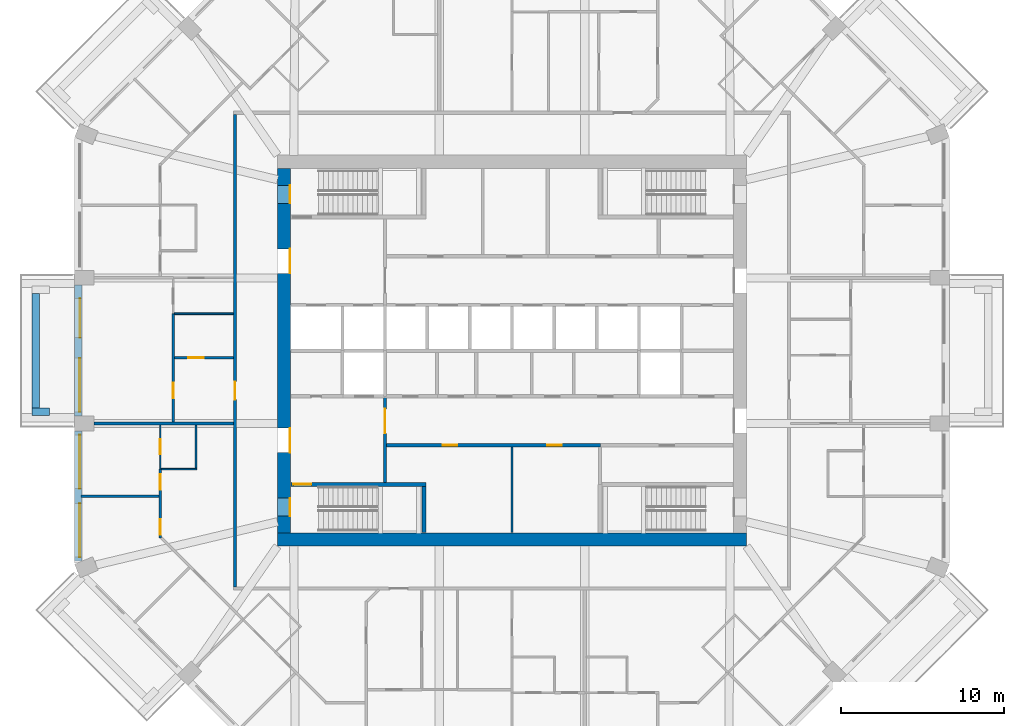
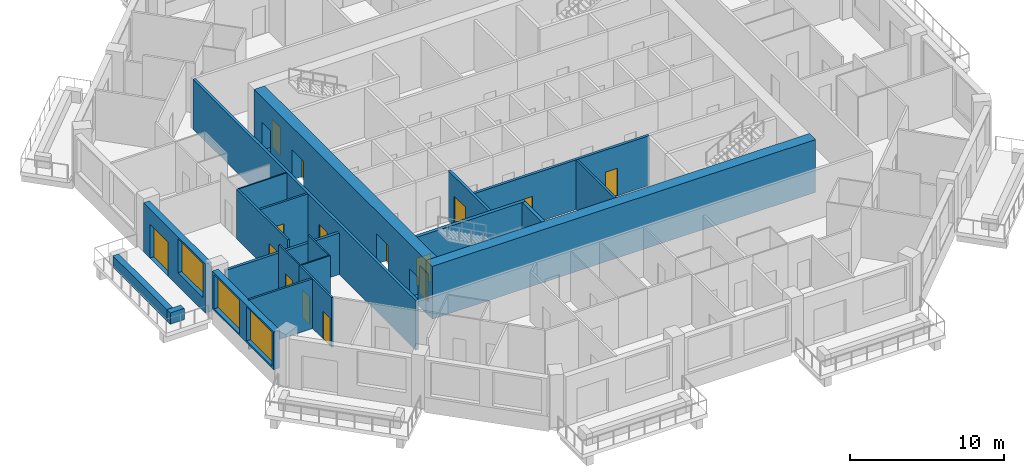
# One storey, part 4 of 13: 21 walls, 15 doors, 3 windows, 18 openings.
"""IFC4 building model written with IfcOpenShell, lengths in metres."""

from ifc_helpers import new_model, si_unit, direction, frame, frame_2d, origin, place, context, subcontext, project, spatial, rectangle, extrude, material, layer, layer_set, type_object, element, fill, save


model = new_model("IFC4")

# Units and contexts
model_context = context("Model", 3, precision=1e-05, world=origin(), true_north=direction((0.0, 1.0)))
body_context = subcontext(model_context, "Body", "Model", "MODEL_VIEW")
ifc_project = project(units=[si_unit("LENGTHUNIT", "METRE"), si_unit("AREAUNIT", "SQUARE_METRE"), si_unit("VOLUMEUNIT", "CUBIC_METRE"), si_unit("PLANEANGLEUNIT", "RADIAN"), si_unit("MASSUNIT", "GRAM", prefix="KILO")], contexts=[model_context])

# Site, building, storey
site_placement = place(None, origin())
site = spatial("IfcSite", under=ifc_project, at=site_placement, CompositionType="ELEMENT")
building_placement = place(site_placement, origin())
building = spatial("IfcBuilding", under=site, at=building_placement, Name="Msitu Wima Residences", CompositionType="ELEMENT")
storey_placement = place(building_placement, frame((0.0, 0.0, 110.699951171875)))
storey = spatial("IfcBuildingStorey", under=building, at=storey_placement, Name="L25", CompositionType="ELEMENT", Elevation=110.699951171875)

# Walls
ifc_material_1 = material(Name="Facing brick")
ifc_layer_1 = layer(ifc_material_1, 0.06494140625, Name="Facing brick")
ifc_material_2 = material(Name="Concrete C40/50", Category="concrete")
ifc_layer_2 = layer(ifc_material_2, 0.156005859375, Name="Concrete C40/50")
ifc_material_3 = material(Name="Waterproofing membrane")
ifc_layer_3 = layer(ifc_material_3, 0.00390625, Name="Waterproofing membrane")
ifc_material_4 = material(Name="Planting soil and planting")
ifc_layer_4 = layer(ifc_material_4, 0.22509765625, Name="Planting soil and planting")
ifc_layer_set_1 = layer_set([ifc_layer_1, ifc_layer_2, ifc_layer_3, ifc_layer_4], Name="Concrete C40/50")
wall_type_1 = type_object("IfcWallType", Name="Balcony planter PLANTER PL450", PredefinedType="USERDEFINED", material=ifc_layer_set_1)
wall_1_placement = place(storey_placement, frame((-29.22509765625, 3.5185546875, 0.0), z_axis=(0.0, 0.0, 1.0), x_axis=(0.0, -1.0, 0.0)))
element("IfcWall", 1, at=wall_1_placement, inside=storey, type_object=wall_type_1, Name="Balcony planter W1 L25", ObjectType="PLANTER", PredefinedType="USERDEFINED", context=body_context, shape_type="SweptSolid", body=[
    extrude(rectangle(XDim=7.037109375, YDim=0.449951171875, at=frame_2d((3.5185546875, 0.0))), origin(), (0.0, 0.0, 1.0), 0.900146484375),
])
wall_2_placement = place(storey_placement, frame((-28.39990234375, -3.74365234375, 0.0), z_axis=(0.0, 0.0, 1.0), x_axis=(-1.0, 0.0, 0.0)))
element("IfcWall", 2, at=wall_2_placement, inside=storey, type_object=wall_type_1, Name="Balcony planter W1 L25", ObjectType="PLANTER", PredefinedType="USERDEFINED", context=body_context, shape_type="SweptSolid", body=[
    extrude(rectangle(XDim=1.050048828125, YDim=0.449951171875, at=frame_2d((0.52490234375, 0.0))), origin(), (0.0, 0.0, 1.0), 0.900146484375),
])

# Wall, openings, door, window
ifc_material_5 = material(Name="Brick (red buff mix)", Category="masonry")
ifc_layer_5 = layer(ifc_material_5, 0.449951171875)
ifc_layer_set_2 = layer_set([ifc_layer_5], Name="Brick (red buff mix)")
wall_type_2 = type_object("IfcWallType", Name="Brick infill wall BW450", PredefinedType="SOLIDWALL", material=ifc_layer_set_2)
wall_3_placement = place(storey_placement, frame((-26.625, 4.0185546875, 0.0), z_axis=(0.0, 0.0, 1.0), x_axis=(0.0, -1.0, 0.0)))
wall_3 = element("IfcWall", 3, at=wall_3_placement, inside=storey, type_object=wall_type_2, Name="Brick infill wall L25 W1", PredefinedType="SOLIDWALL", context=body_context, shape_type="SweptSolid", body=[
    extrude(rectangle(XDim=8.037109375, YDim=0.449951171875, at=frame_2d((4.0185546875, 0.0))), origin(), (0.0, 0.0, 1.0), 3.900146484375),
])
opening_1_placement = place(wall_3_placement, frame((0.809326171875, 0.0, 0.0)))
opening_1 = element("IfcOpeningElement", 4, at=opening_1_placement, cuts=wall_3, Name="Opening D25-26.010", PredefinedType="OPENING", context=body_context, shape_type="SweptSolid", body=[
    extrude(rectangle(XDim=2.39990234375, YDim=2.699951171875, at=frame_2d((1.199951171875, 1.35009765625))), frame((0.0, 0.23486328125, 0.0), z_axis=(0.0, -1.0, 0.0), x_axis=(1.0, 0.0, 0.0)), (0.0, 0.0, 1.0), 0.469970703125),
])
opening_2_placement = place(wall_3_placement, frame((4.46875, 0.0, 1.050048828125)))
opening_2 = element("IfcOpeningElement", 5, at=opening_2_placement, cuts=wall_3, Name="Opening W25-26.028", PredefinedType="OPENING", context=body_context, shape_type="SweptSolid", body=[
    extrude(rectangle(XDim=3.300048828125, YDim=2.699951171875, at=frame_2d((1.64990234375, 1.35009765625))), frame((0.0, 0.23486328125, 0.0), z_axis=(0.0, -1.0, 0.0), x_axis=(1.0, 0.0, 0.0)), (0.0, 0.0, 1.0), 0.469970703125),
])
ifc_material_6 = material(Name="Anodised aluminium, bronze finish, clear low-emissivity double glazing", Category="aluminium")
door_type_1 = type_object("IfcDoorType", Name="Balcony door D2400x2700", OperationType="SLIDING_TO_LEFT", PredefinedType="DOOR", material=ifc_material_6)
door_1_placement = place(opening_1_placement, origin())
door_1 = element("IfcDoor", 6, at=door_1_placement, inside=storey, type_object=door_type_1, Name="Balcony door L25 W1", OperationType="SINGLE_SWING_LEFT", OverallHeight=2.699951171875, OverallWidth=2.39990234375, PredefinedType="DOOR", context=body_context, shape_type="SweptSolid", body=[
    extrude(rectangle(XDim=2.39990234375, YDim=2.699951171875, at=frame_2d((1.199951171875, 1.35009765625))), frame((0.0, 0.1298828125, 0.0), z_axis=(0.0, -1.0, 0.0), x_axis=(1.0, 0.0, 0.0)), (0.0, 0.0, 1.0), 0.050048828125),
])
fill(opening_1, door_1)
window_type = type_object("IfcWindowType", Name="Window W3300x2700", PartitioningType="DOUBLE_PANEL_VERTICAL", PredefinedType="WINDOW", material=ifc_material_6)
window_1_placement = place(opening_2_placement, origin())
window_1 = element("IfcWindow", 7, at=window_1_placement, inside=storey, type_object=window_type, Name="Window L25 W1.2", OverallHeight=2.699951171875, OverallWidth=3.300048828125, PartitioningType="SINGLE_PANEL", PredefinedType="WINDOW", context=body_context, shape_type="SweptSolid", body=[
    extrude(rectangle(XDim=3.300048828125, YDim=2.699951171875, at=frame_2d((1.64990234375, 1.35009765625))), frame((0.0, 0.135009765625, 0.0), z_axis=(0.0, -1.0, 0.0), x_axis=(1.0, 0.0, 0.0)), (0.0, 0.0, 1.0), 0.06005859375),
])
fill(opening_2, window_1)

# Wall, openings, windows
wall_4_placement = place(storey_placement, frame((-26.625, -4.918701171875, 0.900146484375), z_axis=(0.0, 0.0, 1.0), x_axis=(0.0, -1.0, 0.0)))
wall_4 = element("IfcWall", 8, at=wall_4_placement, inside=storey, type_object=wall_type_2, Name="Brick infill wall L25 W2", PredefinedType="SOLIDWALL", context=body_context, shape_type="SweptSolid", body=[
    extrude(rectangle(XDim=8.0, YDim=0.449951171875, at=frame_2d((4.0, 0.0))), origin(), (0.0, 0.0, 1.0), 3.0),
])
opening_3_placement = place(wall_4_placement, frame((0.25, 0.0, 0.14990234375)))
opening_3 = element("IfcOpeningElement", 9, at=opening_3_placement, cuts=wall_4, Name="Opening W25-26.029", PredefinedType="OPENING", context=body_context, shape_type="SweptSolid", body=[
    extrude(rectangle(XDim=3.300048828125, YDim=2.699951171875, at=frame_2d((1.64990234375, 1.35009765625))), frame((0.0, 0.23486328125, 0.0), z_axis=(0.0, -1.0, 0.0), x_axis=(1.0, 0.0, 0.0)), (0.0, 0.0, 1.0), 0.469970703125),
])
opening_4_placement = place(wall_4_placement, frame((4.4501953125, 0.0, 0.14990234375)))
opening_4 = element("IfcOpeningElement", 10, at=opening_4_placement, cuts=wall_4, Name="Opening W25-26.030", PredefinedType="OPENING", context=body_context, shape_type="SweptSolid", body=[
    extrude(rectangle(XDim=3.300048828125, YDim=2.699951171875, at=frame_2d((1.64990234375, 1.35009765625))), frame((0.0, 0.23486328125, 0.0), z_axis=(0.0, -1.0, 0.0), x_axis=(1.0, 0.0, 0.0)), (0.0, 0.0, 1.0), 0.469970703125),
])
window_2_placement = place(opening_3_placement, origin())
window_2 = element("IfcWindow", 11, at=window_2_placement, inside=storey, type_object=window_type, Name="Window L25 W2.1", OverallHeight=2.699951171875, OverallWidth=3.300048828125, PartitioningType="SINGLE_PANEL", PredefinedType="WINDOW", context=body_context, shape_type="SweptSolid", body=[
    extrude(rectangle(XDim=3.300048828125, YDim=2.699951171875, at=frame_2d((1.64990234375, 1.35009765625))), frame((0.0, 0.135009765625, 0.0), z_axis=(0.0, -1.0, 0.0), x_axis=(1.0, 0.0, 0.0)), (0.0, 0.0, 1.0), 0.06005859375),
])
fill(opening_3, window_2)
window_3_placement = place(opening_4_placement, origin())
window_3 = element("IfcWindow", 12, at=window_3_placement, inside=storey, type_object=window_type, Name="Window L25 W2.2", OverallHeight=2.699951171875, OverallWidth=3.300048828125, PartitioningType="SINGLE_PANEL", PredefinedType="WINDOW", context=body_context, shape_type="SweptSolid", body=[
    extrude(rectangle(XDim=3.300048828125, YDim=2.699951171875, at=frame_2d((1.64990234375, 1.35009765625))), frame((0.0, 0.135009765625, 0.0), z_axis=(0.0, -1.0, 0.0), x_axis=(1.0, 0.0, 0.0)), (0.0, 0.0, 1.0), 0.06005859375),
])
fill(opening_4, window_3)

# Wall
ifc_material_7 = material(Name="Concrete C70/85", Category="concrete")
ifc_layer_6 = layer(ifc_material_7, 0.800048828125)
ifc_layer_set_3 = layer_set([ifc_layer_6], Name="Concrete C70/85")
wall_type_3 = type_object("IfcWallType", Name="Core wall CW800 C70/85", PredefinedType="SHEAR", material=ifc_layer_set_3)
wall_5_placement = place(storey_placement, frame((-14.39990234375, -11.60009765625, 0.0), z_axis=(0.0, 0.0, 1.0), x_axis=(1.0, 0.0, 0.0)))
element("IfcWall", 13, at=wall_5_placement, inside=storey, type_object=wall_type_3, Name="Core wall", PredefinedType="SHEAR", context=body_context, shape_type="SweptSolid", body=[
    extrude(rectangle(XDim=28.7998046875, YDim=0.800048828125, at=frame_2d((14.39990234375, 0.0))), origin(), (0.0, 0.0, 1.0), 4.199951171875),
])

# Wall, openings, doors
wall_6_placement = place(storey_placement, frame((-14.0, -11.199951171875, 0.0), z_axis=(0.0, 0.0, 1.0), x_axis=(0.0, 1.0, 0.0)))
wall_6 = element("IfcWall", 14, at=wall_6_placement, inside=storey, type_object=wall_type_3, Name="Core wall", PredefinedType="SHEAR", context=body_context, shape_type="SweptSolid", body=[
    extrude(rectangle(XDim=22.39990234375, YDim=0.800048828125, at=frame_2d((11.199951171875, 0.0))), origin(), (0.0, 0.0, 1.0), 4.199951171875),
])
opening_5_placement = place(wall_6_placement, frame((20.25, 0.0, 0.0)))
opening_5 = element("IfcOpeningElement", 15, at=opening_5_placement, cuts=wall_6, Name="Opening D25-26.036", PredefinedType="OPENING", context=body_context, shape_type="SweptSolid", body=[
    extrude(rectangle(XDim=1.10009765625, YDim=2.199951171875, at=frame_2d((0.550048828125, 1.10009765625))), frame((0.0, 0.409912109375, 0.0), z_axis=(0.0, -1.0, 0.0), x_axis=(1.0, 0.0, 0.0)), (0.0, 0.0, 1.0), 0.820068359375),
])
opening_6_placement = place(wall_6_placement, frame((1.050048828125, 0.0, 0.0)))
opening_6 = element("IfcOpeningElement", 16, at=opening_6_placement, cuts=wall_6, Name="Opening D25-26.038", PredefinedType="OPENING", context=body_context, shape_type="SweptSolid", body=[
    extrude(rectangle(XDim=1.10009765625, YDim=2.199951171875, at=frame_2d((0.550048828125, 1.10009765625))), frame((0.0, 0.409912109375, 0.0), z_axis=(0.0, -1.0, 0.0), x_axis=(1.0, 0.0, 0.0)), (0.0, 0.0, 1.0), 0.820068359375),
])
opening_7_placement = place(wall_6_placement, frame((15.949951171875, 0.0, 0.0)))
opening_7 = element("IfcOpeningElement", 17, at=opening_7_placement, cuts=wall_6, Name="Opening D25-26.016", PredefinedType="OPENING", context=body_context, shape_type="SweptSolid", body=[
    extrude(rectangle(XDim=1.5, YDim=2.39990234375, at=frame_2d((0.75, 1.199951171875))), frame((0.0, 0.409912109375, 0.0), z_axis=(0.0, -1.0, 0.0), x_axis=(1.0, 0.0, 0.0)), (0.0, 0.0, 1.0), 0.820068359375),
])
opening_8_placement = place(wall_6_placement, frame((4.949951171875, 0.0, 0.0)))
opening_8 = element("IfcOpeningElement", 18, at=opening_8_placement, cuts=wall_6, Name="Opening D25-26.018", PredefinedType="OPENING", context=body_context, shape_type="SweptSolid", body=[
    extrude(rectangle(XDim=1.5, YDim=2.39990234375, at=frame_2d((0.75, 1.199951171875))), frame((0.0, 0.409912109375, 0.0), z_axis=(0.0, -1.0, 0.0), x_axis=(1.0, 0.0, 0.0)), (0.0, 0.0, 1.0), 0.820068359375),
])
ifc_material_8 = material(Name="Steel framed glazed door, fire resisting", Category="steel")
door_type_2 = type_object("IfcDoorType", Name="Lobby door D07 1500x2400", OperationType="DOUBLE_DOOR_SINGLE_SWING", PredefinedType="DOOR", material=ifc_material_8)
door_2_placement = place(opening_7_placement, origin())
door_2 = element("IfcDoor", 19, at=door_2_placement, inside=storey, type_object=door_type_2, Name="Lobby door", OperationType="DOUBLE_DOOR_SINGLE_SWING", OverallHeight=2.39990234375, OverallWidth=1.5, PredefinedType="DOOR", context=body_context, shape_type="SweptSolid", body=[
    extrude(rectangle(XDim=1.5, YDim=2.39990234375, at=frame_2d((0.75, 1.199951171875))), frame((0.0, -0.34521484375, 0.0), z_axis=(0.0, -1.0, 0.0), x_axis=(1.0, 0.0, 0.0)), (0.0, 0.0, 1.0), 0.050048828125),
])
fill(opening_7, door_2)
door_3_placement = place(opening_8_placement, origin())
door_3 = element("IfcDoor", 20, at=door_3_placement, inside=storey, type_object=door_type_2, Name="Lobby door", OperationType="DOUBLE_DOOR_SINGLE_SWING", OverallHeight=2.39990234375, OverallWidth=1.5, PredefinedType="DOOR", context=body_context, shape_type="SweptSolid", body=[
    extrude(rectangle(XDim=1.5, YDim=2.39990234375, at=frame_2d((0.75, 1.199951171875))), frame((0.0, -0.34521484375, 0.0), z_axis=(0.0, -1.0, 0.0), x_axis=(1.0, 0.0, 0.0)), (0.0, 0.0, 1.0), 0.050048828125),
])
fill(opening_8, door_3)
ifc_material_9 = material(Name="Steel door, fire resisting, panic bar", Category="steel")
door_type_3 = type_object("IfcDoorType", Name="Stair door D06 1100x2200", OperationType="SINGLE_SWING_LEFT", PredefinedType="DOOR", material=ifc_material_9)
door_4_placement = place(opening_5_placement, origin())
door_4 = element("IfcDoor", 21, at=door_4_placement, inside=storey, type_object=door_type_3, Name="Stair door", OperationType="SINGLE_SWING_RIGHT", OverallHeight=2.199951171875, OverallWidth=1.10009765625, PredefinedType="DOOR", context=body_context, shape_type="SweptSolid", body=[
    extrude(rectangle(XDim=1.10009765625, YDim=2.199951171875, at=frame_2d((0.550048828125, 1.10009765625))), frame((0.0, -0.34521484375, 0.0), z_axis=(0.0, -1.0, 0.0), x_axis=(1.0, 0.0, 0.0)), (0.0, 0.0, 1.0), 0.050048828125),
])
fill(opening_5, door_4)
door_5_placement = place(opening_6_placement, origin())
door_5 = element("IfcDoor", 22, at=door_5_placement, inside=storey, type_object=door_type_3, Name="Stair door", OperationType="SINGLE_SWING_LEFT", OverallHeight=2.199951171875, OverallWidth=1.10009765625, PredefinedType="DOOR", context=body_context, shape_type="SweptSolid", body=[
    extrude(rectangle(XDim=1.10009765625, YDim=2.199951171875, at=frame_2d((0.550048828125, 1.10009765625))), frame((0.0, -0.34521484375, 0.0), z_axis=(0.0, -1.0, 0.0), x_axis=(1.0, 0.0, 0.0)), (0.0, 0.0, 1.0), 0.050048828125),
])
fill(opening_6, door_5)

# Wall, opening, door
ifc_material_10 = material(Name="Plaster")
ifc_layer_7 = layer(ifc_material_10, 0.011962890625, Name="Plaster")
ifc_material_11 = material(Name="Concrete blockwork", Category="masonry")
ifc_layer_8 = layer(ifc_material_11, 0.176025390625, Name="Concrete blockwork")
ifc_layer_9 = layer(ifc_material_10, 0.011962890625, Name="Plaster")
ifc_layer_set_4 = layer_set([ifc_layer_7, ifc_layer_8, ifc_layer_9], Name="Concrete blockwork")
wall_type_4 = type_object("IfcWallType", Name="Corridor wall FW200", PredefinedType="PARTITIONING", material=ifc_layer_set_4)
wall_7_placement = place(storey_placement, frame((-17.0, -14.5, 0.0), z_axis=(0.0, 0.0, 1.0), x_axis=(0.0, 1.0, 0.0)))
wall_7 = element("IfcWall", 23, at=wall_7_placement, inside=storey, type_object=wall_type_4, Name="Corridor wall", PredefinedType="PARTITIONING", context=body_context, shape_type="SweptSolid", body=[
    extrude(rectangle(XDim=29.0, YDim=0.199951171875, at=frame_2d((14.5, 0.0))), origin(), (0.0, 0.0, 1.0), 3.949951171875),
])
opening_9_placement = place(wall_7_placement, frame((11.5, 0.0, 0.0)))
opening_9 = element("IfcOpeningElement", 24, at=opening_9_placement, cuts=wall_7, Name="Opening D25-26.012", PredefinedType="OPENING", context=body_context, shape_type="SweptSolid", body=[
    extrude(rectangle(XDim=1.10009765625, YDim=2.39990234375, at=frame_2d((0.550048828125, 1.199951171875))), frame((0.0, 0.10986328125, 0.0), z_axis=(0.0, -1.0, 0.0), x_axis=(1.0, 0.0, 0.0)), (0.0, 0.0, 1.0), 0.219970703125),
])
ifc_material_12 = material(Name="Timber flush door, fire resisting, self-closing", Category="wood")
door_type_4 = type_object("IfcDoorType", Name="Flat entrance door D01 1100x2400", OperationType="SINGLE_SWING_LEFT", PredefinedType="DOOR", material=ifc_material_12)
door_6_placement = place(opening_9_placement, origin())
door_6 = element("IfcDoor", 25, at=door_6_placement, inside=storey, type_object=door_type_4, Name="Flat entrance door", OperationType="SINGLE_SWING_LEFT", OverallHeight=2.39990234375, OverallWidth=1.10009765625, PredefinedType="DOOR", context=body_context, shape_type="SweptSolid", body=[
    extrude(rectangle(XDim=1.10009765625, YDim=2.39990234375, at=frame_2d((0.550048828125, 1.199951171875))), frame((0.0, 0.02490234375, 0.0), z_axis=(0.0, -1.0, 0.0), x_axis=(1.0, 0.0, 0.0)), (0.0, 0.0, 1.0), 0.050048828125),
])
fill(opening_9, door_6)

wall_8_placement = place(storey_placement, frame((-7.800048828125, -8.074951171875, 0.0), z_axis=(0.0, 0.0, 1.0), x_axis=(0.0, 1.0, 0.0)))
wall_8 = element("IfcWall", 26, at=wall_8_placement, inside=storey, type_object=wall_type_4, Name="Corridor wall", PredefinedType="PARTITIONING", context=body_context, shape_type="SweptSolid", body=[
    extrude(rectangle(XDim=5.27490234375, YDim=0.199951171875, at=frame_2d((2.637451171875, 0.0))), origin(), (0.0, 0.0, 1.0), 3.949951171875),
])
opening_10_placement = place(wall_8_placement, frame((3.0, 0.0, 0.0)))
opening_10 = element("IfcOpeningElement", 27, at=opening_10_placement, cuts=wall_8, Name="Opening D25-26.019", PredefinedType="OPENING", context=body_context, shape_type="SweptSolid", body=[
    extrude(rectangle(XDim=1.5, YDim=2.39990234375, at=frame_2d((0.75, 1.199951171875))), frame((0.0, 0.10986328125, 0.0), z_axis=(0.0, -1.0, 0.0), x_axis=(1.0, 0.0, 0.0)), (0.0, 0.0, 1.0), 0.219970703125),
])
door_7_placement = place(opening_10_placement, origin())
door_7 = element("IfcDoor", 28, at=door_7_placement, inside=storey, type_object=door_type_2, Name="Lobby door", OperationType="DOUBLE_DOOR_SINGLE_SWING", OverallHeight=2.39990234375, OverallWidth=1.5, PredefinedType="DOOR", context=body_context, shape_type="SweptSolid", body=[
    extrude(rectangle(XDim=1.5, YDim=2.39990234375, at=frame_2d((0.75, 1.199951171875))), frame((0.0, 0.02490234375, 0.0), z_axis=(0.0, -1.0, 0.0), x_axis=(1.0, 0.0, 0.0)), (0.0, 0.0, 1.0), 0.050048828125),
])
fill(opening_10, door_7)

# Wall, openings, doors
wall_9_placement = place(storey_placement, frame((-7.699951171875, -5.800048828125, 0.0), z_axis=(0.0, 0.0, 1.0), x_axis=(1.0, 0.0, 0.0)))
wall_9 = element("IfcWall", 29, at=wall_9_placement, inside=storey, type_object=wall_type_4, Name="Corridor wall", PredefinedType="PARTITIONING", context=body_context, shape_type="SweptSolid", body=[
    extrude(rectangle(XDim=13.119873046875, YDim=0.199951171875, at=frame_2d((6.56005859375, 0.0))), origin(), (0.0, 0.0, 1.0), 3.949951171875),
])
opening_11_placement = place(wall_9_placement, frame((3.449951171875, 0.0, 0.0)))
opening_11 = element("IfcOpeningElement", 30, at=opening_11_placement, cuts=wall_9, Name="Opening D25-26.024", PredefinedType="OPENING", context=body_context, shape_type="SweptSolid", body=[
    extrude(rectangle(XDim=0.89990234375, YDim=2.199951171875, at=frame_2d((0.449951171875, 1.10009765625))), frame((0.0, 0.10986328125, 0.0), z_axis=(0.0, -1.0, 0.0), x_axis=(1.0, 0.0, 0.0)), (0.0, 0.0, 1.0), 0.219970703125),
])
opening_12_placement = place(wall_9_placement, frame((9.85009765625, 0.0, 0.0)))
opening_12 = element("IfcOpeningElement", 31, at=opening_12_placement, cuts=wall_9, Name="Opening D25-26.025", PredefinedType="OPENING", context=body_context, shape_type="SweptSolid", body=[
    extrude(rectangle(XDim=0.89990234375, YDim=2.199951171875, at=frame_2d((0.449951171875, 1.10009765625))), frame((0.0, 0.10986328125, 0.0), z_axis=(0.0, -1.0, 0.0), x_axis=(1.0, 0.0, 0.0)), (0.0, 0.0, 1.0), 0.219970703125),
])
ifc_material_13 = material(Name="Timber flush door", Category="wood")
door_type_5 = type_object("IfcDoorType", Name="Service door D05 900x2200", OperationType="SINGLE_SWING_LEFT", PredefinedType="DOOR", material=ifc_material_13)
door_8_placement = place(opening_11_placement, origin())
door_8 = element("IfcDoor", 32, at=door_8_placement, inside=storey, type_object=door_type_5, Name="Service door", OperationType="SINGLE_SWING_RIGHT", OverallHeight=2.199951171875, OverallWidth=0.89990234375, PredefinedType="DOOR", context=body_context, shape_type="SweptSolid", body=[
    extrude(rectangle(XDim=0.89990234375, YDim=2.199951171875, at=frame_2d((0.449951171875, 1.10009765625))), frame((0.0, 0.02490234375, 0.0), z_axis=(0.0, -1.0, 0.0), x_axis=(1.0, 0.0, 0.0)), (0.0, 0.0, 1.0), 0.050048828125),
])
fill(opening_11, door_8)
door_9_placement = place(opening_12_placement, origin())
door_9 = element("IfcDoor", 33, at=door_9_placement, inside=storey, type_object=door_type_5, Name="Service door", OperationType="SINGLE_SWING_RIGHT", OverallHeight=2.199951171875, OverallWidth=0.89990234375, PredefinedType="DOOR", context=body_context, shape_type="SweptSolid", body=[
    extrude(rectangle(XDim=0.89990234375, YDim=2.199951171875, at=frame_2d((0.449951171875, 1.10009765625))), frame((0.0, 0.02490234375, 0.0), z_axis=(0.0, -1.0, 0.0), x_axis=(1.0, 0.0, 0.0)), (0.0, 0.0, 1.0), 0.050048828125),
])
fill(opening_12, door_9)

# Wall
ifc_layer_10 = layer(ifc_material_10, 0.011962890625, Name="Plaster")
ifc_layer_11 = layer(ifc_material_11, 0.1259765625, Name="Concrete blockwork")
ifc_layer_12 = layer(ifc_material_10, 0.011962890625, Name="Plaster")
ifc_layer_set_5 = layer_set([ifc_layer_10, ifc_layer_11, ifc_layer_12], Name="Concrete blockwork")
wall_type_5 = type_object("IfcWallType", Name="Partition PW150", PredefinedType="PARTITIONING", material=ifc_layer_set_5)
wall_10_placement = place(storey_placement, frame((-26.455078125, -8.937255859375, 0.0), z_axis=(0.0, 0.0, 1.0), x_axis=(1.0, 0.0, 0.0)))
element("IfcWall", 34, at=wall_10_placement, inside=storey, type_object=wall_type_5, Name="Partition", PredefinedType="PARTITIONING", context=body_context, shape_type="SweptSolid", body=[
    extrude(rectangle(XDim=4.780029296875, YDim=0.14990234375, at=frame_2d((2.39013671875, 0.0))), origin(), (0.0, 0.0, 1.0), 3.949951171875),
])

# Wall, openings, doors
wall_11_placement = place(storey_placement, frame((-21.60009765625, -11.49267578125, 0.0), z_axis=(0.0, 0.0, 1.0), x_axis=(0.0, 1.0, 0.0)))
wall_11 = element("IfcWall", 35, at=wall_11_placement, inside=storey, type_object=wall_type_5, Name="Partition", PredefinedType="PARTITIONING", context=body_context, shape_type="SweptSolid", body=[
    extrude(rectangle(XDim=4.244140625, YDim=0.14990234375, at=frame_2d((2.1220703125, 0.0))), origin(), (0.0, 0.0, 1.0), 3.949951171875),
])
opening_13_placement = place(wall_11_placement, frame((2.949951171875, 0.0, 0.0)))
opening_13 = element("IfcOpeningElement", 36, at=opening_13_placement, cuts=wall_11, Name="Opening D25-26.068", PredefinedType="OPENING", context=body_context, shape_type="SweptSolid", body=[
    extrude(rectangle(XDim=0.949951171875, YDim=2.199951171875, at=frame_2d((0.47509765625, 1.10009765625))), frame((0.0, 0.0849609375, 0.0), z_axis=(0.0, -1.0, 0.0), x_axis=(1.0, 0.0, 0.0)), (0.0, 0.0, 1.0), 0.169921875),
])
opening_14_placement = place(wall_11_placement, frame((0.199951171875, 0.0, 0.0)))
opening_14 = element("IfcOpeningElement", 37, at=opening_14_placement, cuts=wall_11, Name="Opening D25-26.071", PredefinedType="OPENING", context=body_context, shape_type="SweptSolid", body=[
    extrude(rectangle(XDim=0.949951171875, YDim=2.199951171875, at=frame_2d((0.47509765625, 1.10009765625))), frame((0.0, 0.0849609375, 0.0), z_axis=(0.0, -1.0, 0.0), x_axis=(1.0, 0.0, 0.0)), (0.0, 0.0, 1.0), 0.169921875),
])
door_type_6 = type_object("IfcDoorType", Name="Room door D12 950x2200", OperationType="SINGLE_SWING_LEFT", PredefinedType="DOOR", material=ifc_material_13)
door_10_placement = place(opening_13_placement, origin())
door_10 = element("IfcDoor", 38, at=door_10_placement, inside=storey, type_object=door_type_6, Name="Room door", OperationType="SINGLE_SWING_LEFT", OverallHeight=2.199951171875, OverallWidth=0.949951171875, PredefinedType="DOOR", context=body_context, shape_type="SweptSolid", body=[
    extrude(rectangle(XDim=0.949951171875, YDim=2.199951171875, at=frame_2d((0.47509765625, 1.10009765625))), frame((0.0, 0.02490234375, 0.0), z_axis=(0.0, -1.0, 0.0), x_axis=(1.0, 0.0, 0.0)), (0.0, 0.0, 1.0), 0.050048828125),
])
fill(opening_13, door_10)
door_11_placement = place(opening_14_placement, origin())
door_11 = element("IfcDoor", 39, at=door_11_placement, inside=storey, type_object=door_type_6, Name="Room door", OperationType="SINGLE_SWING_RIGHT", OverallHeight=2.199951171875, OverallWidth=0.949951171875, PredefinedType="DOOR", context=body_context, shape_type="SweptSolid", body=[
    extrude(rectangle(XDim=0.949951171875, YDim=2.199951171875, at=frame_2d((0.47509765625, 1.10009765625))), frame((0.0, 0.02490234375, 0.0), z_axis=(0.0, -1.0, 0.0), x_axis=(1.0, 0.0, 0.0)), (0.0, 0.0, 1.0), 0.050048828125),
])
fill(opening_14, door_11)

# Wall, opening, door
wall_12_placement = place(storey_placement, frame((-20.800048828125, -4.36865234375, 0.0), z_axis=(0.0, 0.0, 1.0), x_axis=(0.0, 1.0, 0.0)))
wall_12 = element("IfcWall", 40, at=wall_12_placement, inside=storey, type_object=wall_type_5, Name="Partition", PredefinedType="PARTITIONING", context=body_context, shape_type="SweptSolid", body=[
    extrude(rectangle(XDim=6.6572265625, YDim=0.14990234375, at=frame_2d((3.32861328125, 0.0))), origin(), (0.0, 0.0, 1.0), 3.949951171875),
])
opening_15_placement = place(wall_12_placement, frame((1.449951171875, 0.0, 0.0)))
opening_15 = element("IfcOpeningElement", 41, at=opening_15_placement, cuts=wall_12, Name="Opening D25-26.047", PredefinedType="OPENING", context=body_context, shape_type="SweptSolid", body=[
    extrude(rectangle(XDim=0.949951171875, YDim=2.199951171875, at=frame_2d((0.47509765625, 1.10009765625))), frame((0.0, 0.0849609375, 0.0), z_axis=(0.0, -1.0, 0.0), x_axis=(1.0, 0.0, 0.0)), (0.0, 0.0, 1.0), 0.169921875),
])
door_12_placement = place(opening_15_placement, origin())
door_12 = element("IfcDoor", 42, at=door_12_placement, inside=storey, type_object=door_type_6, Name="Room door", OperationType="SINGLE_SWING_LEFT", OverallHeight=2.199951171875, OverallWidth=0.949951171875, PredefinedType="DOOR", context=body_context, shape_type="SweptSolid", body=[
    extrude(rectangle(XDim=0.949951171875, YDim=2.199951171875, at=frame_2d((0.47509765625, 1.10009765625))), frame((0.0, 0.02490234375, 0.0), z_axis=(0.0, -1.0, 0.0), x_axis=(1.0, 0.0, 0.0)), (0.0, 0.0, 1.0), 0.050048828125),
])
fill(opening_15, door_12)

wall_13_placement = place(storey_placement, frame((-20.72509765625, -0.431396484375, 0.0), z_axis=(0.0, 0.0, 1.0), x_axis=(1.0, 0.0, 0.0)))
wall_13 = element("IfcWall", 43, at=wall_13_placement, inside=storey, type_object=wall_type_5, Name="Partition", PredefinedType="PARTITIONING", context=body_context, shape_type="SweptSolid", body=[
    extrude(rectangle(XDim=3.625, YDim=0.14990234375, at=frame_2d((1.8125, 0.0))), origin(), (0.0, 0.0, 1.0), 3.949951171875),
])
opening_16_placement = place(wall_13_placement, frame((0.85009765625, 0.0, 0.0)))
opening_16 = element("IfcOpeningElement", 44, at=opening_16_placement, cuts=wall_13, Name="Opening D25-26.048", PredefinedType="OPENING", context=body_context, shape_type="SweptSolid", body=[
    extrude(rectangle(XDim=0.949951171875, YDim=2.199951171875, at=frame_2d((0.47509765625, 1.10009765625))), frame((0.0, 0.0849609375, 0.0), z_axis=(0.0, -1.0, 0.0), x_axis=(1.0, 0.0, 0.0)), (0.0, 0.0, 1.0), 0.169921875),
])
door_13_placement = place(opening_16_placement, origin())
door_13 = element("IfcDoor", 45, at=door_13_placement, inside=storey, type_object=door_type_6, Name="Room door", OperationType="SINGLE_SWING_LEFT", OverallHeight=2.199951171875, OverallWidth=0.949951171875, PredefinedType="DOOR", context=body_context, shape_type="SweptSolid", body=[
    extrude(rectangle(XDim=0.949951171875, YDim=2.199951171875, at=frame_2d((0.47509765625, 1.10009765625))), frame((0.0, 0.02490234375, 0.0), z_axis=(0.0, -1.0, 0.0), x_axis=(1.0, 0.0, 0.0)), (0.0, 0.0, 1.0), 0.050048828125),
])
fill(opening_16, door_13)

# Walls
wall_14_placement = place(storey_placement, frame((0.0, -11.169921875, 0.0), z_axis=(0.0, 0.0, 1.0), x_axis=(0.0, 1.0, 0.0)))
element("IfcWall", 46, at=wall_14_placement, inside=storey, type_object=wall_type_5, Name="Partition", PredefinedType="PARTITIONING", context=body_context, shape_type="SweptSolid", body=[
    extrude(rectangle(XDim=5.27001953125, YDim=0.14990234375, at=frame_2d((2.635009765625, 0.0))), origin(), (0.0, 0.0, 1.0), 3.949951171875),
])
ifc_layer_13 = layer(ifc_material_10, 0.011962890625, Name="Plaster")
ifc_material_14 = material(Name="Dense concrete blockwork", Category="masonry")
ifc_layer_14 = layer(ifc_material_14, 0.176025390625, Name="Dense concrete blockwork")
ifc_layer_15 = layer(ifc_material_10, 0.011962890625, Name="Plaster")
ifc_layer_set_6 = layer_set([ifc_layer_13, ifc_layer_14, ifc_layer_15], Name="Dense concrete blockwork")
wall_type_6 = type_object("IfcWallType", Name="Party wall PW200", PredefinedType="PARTITIONING", material=ifc_layer_set_6)
wall_15_placement = place(storey_placement, frame((-25.64990234375, -4.46875, 0.0), z_axis=(0.0, 0.0, 1.0), x_axis=(1.0, 0.0, 0.0)))
element("IfcWall", 47, at=wall_15_placement, inside=storey, type_object=wall_type_6, Name="Party wall", PredefinedType="PARTITIONING", context=body_context, shape_type="SweptSolid", body=[
    extrude(rectangle(XDim=8.5498046875, YDim=0.199951171875, at=frame_2d((4.27490234375, 0.0))), origin(), (0.0, 0.0, 1.0), 3.300048828125),
])

# Wall, opening, door
ifc_material_15 = material(Name="Concrete C50/60", Category="concrete")
ifc_layer_16 = layer(ifc_material_15, 0.25)
ifc_layer_set_7 = layer_set([ifc_layer_16], Name="Concrete C50/60")
wall_type_7 = type_object("IfcWallType", Name="Stair enclosure wall SW250", PredefinedType="SHEAR", material=ifc_layer_set_7)
wall_16_placement = place(storey_placement, frame((-13.570068359375, -8.199951171875, 0.0), z_axis=(0.0, 0.0, 1.0), x_axis=(1.0, 0.0, 0.0)))
wall_16 = element("IfcWall", 48, at=wall_16_placement, inside=storey, type_object=wall_type_7, Name="Stair enclosure wall", PredefinedType="SHEAR", context=body_context, shape_type="SweptSolid", body=[
    extrude(rectangle(XDim=8.295166015625, YDim=0.25, at=frame_2d((4.1474609375, 0.0))), origin(), (0.0, 0.0, 1.0), 3.949951171875),
])
opening_17_placement = place(wall_16_placement, frame((0.14990234375, 0.0, 0.0)))
opening_17 = element("IfcOpeningElement", 49, at=opening_17_placement, cuts=wall_16, Name="Opening D25-26.039", PredefinedType="OPENING", context=body_context, shape_type="SweptSolid", body=[
    extrude(rectangle(XDim=1.10009765625, YDim=2.199951171875, at=frame_2d((0.550048828125, 1.10009765625))), frame((0.0, 0.135009765625, 0.0), z_axis=(0.0, -1.0, 0.0), x_axis=(1.0, 0.0, 0.0)), (0.0, 0.0, 1.0), 0.27001953125),
])
door_14_placement = place(opening_17_placement, origin())
door_14 = element("IfcDoor", 50, at=door_14_placement, inside=storey, type_object=door_type_3, Name="Stair door", OperationType="SINGLE_SWING_RIGHT", OverallHeight=2.199951171875, OverallWidth=1.10009765625, PredefinedType="DOOR", context=body_context, shape_type="SweptSolid", body=[
    extrude(rectangle(XDim=1.10009765625, YDim=2.199951171875, at=frame_2d((0.550048828125, 1.10009765625))), frame((0.0, 0.02490234375, 0.0), z_axis=(0.0, -1.0, 0.0), x_axis=(1.0, 0.0, 0.0)), (0.0, 0.0, 1.0), 0.050048828125),
])
fill(opening_17, door_14)

# Wall
wall_17_placement = place(storey_placement, frame((-5.39990234375, -11.169921875, 0.0), z_axis=(0.0, 0.0, 1.0), x_axis=(0.0, 1.0, 0.0)))
element("IfcWall", 51, at=wall_17_placement, inside=storey, type_object=wall_type_7, Name="Stair enclosure wall", PredefinedType="SHEAR", context=body_context, shape_type="SweptSolid", body=[
    extrude(rectangle(XDim=2.844970703125, YDim=0.25, at=frame_2d((1.42236328125, 0.0))), origin(), (0.0, 0.0, 1.0), 3.949951171875),
])

# Wall, opening, door
ifc_material_16 = material(Name="Ceramic tiles")
ifc_layer_17 = layer(ifc_material_16, 0.008056640625, Name="Ceramic tiles")
ifc_material_17 = material(Name="Moisture-resistant board")
ifc_layer_18 = layer(ifc_material_17, 0.012451171875, Name="Moisture-resistant board")
ifc_material_18 = material(Name="Light-gauge stud framing with mineral wool")
ifc_layer_19 = layer(ifc_material_18, 0.06689453125, Name="Light-gauge stud framing with mineral wool")
ifc_layer_20 = layer(ifc_material_17, 0.012451171875, Name="Moisture-resistant board")
ifc_layer_set_8 = layer_set([ifc_layer_17, ifc_layer_18, ifc_layer_19, ifc_layer_20], Name="Light-gauge stud framing with mineral wool")
wall_type_8 = type_object("IfcWallType", Name="Wet wall PW100", PredefinedType="PARTITIONING", material=ifc_layer_set_8)
wall_18_placement = place(storey_placement, frame((-21.60009765625, -7.24853515625, 0.0), z_axis=(0.0, 0.0, 1.0), x_axis=(0.0, 1.0, 0.0)))
wall_18 = element("IfcWall", 52, at=wall_18_placement, inside=storey, type_object=wall_type_8, Name="Wet wall", PredefinedType="PARTITIONING", context=body_context, shape_type="SweptSolid", body=[
    extrude(rectangle(XDim=2.679931640625, YDim=0.10009765625, at=frame_2d((1.33984375, 0.0))), origin(), (0.0, 0.0, 1.0), 3.949951171875),
])
opening_18_placement = place(wall_18_placement, frame((0.89990234375, 0.0, 0.0)))
opening_18 = element("IfcOpeningElement", 53, at=opening_18_placement, cuts=wall_18, Name="Opening D25-26.069", PredefinedType="OPENING", context=body_context, shape_type="SweptSolid", body=[
    extrude(rectangle(XDim=0.89990234375, YDim=2.199951171875, at=frame_2d((0.449951171875, 1.10009765625))), frame((0.0, 0.06005859375, 0.0), z_axis=(0.0, -1.0, 0.0), x_axis=(1.0, 0.0, 0.0)), (0.0, 0.0, 1.0), 0.1201171875),
])
ifc_material_19 = material(Name="Timber flush door, moisture resistant", Category="wood")
door_type_7 = type_object("IfcDoorType", Name="Bathroom door D03 900x2200", OperationType="SINGLE_SWING_LEFT", PredefinedType="DOOR", material=ifc_material_19)
door_15_placement = place(opening_18_placement, origin())
door_15 = element("IfcDoor", 54, at=door_15_placement, inside=storey, type_object=door_type_7, Name="Bathroom door", OperationType="SINGLE_SWING_RIGHT", OverallHeight=2.199951171875, OverallWidth=0.89990234375, PredefinedType="DOOR", context=body_context, shape_type="SweptSolid", body=[
    extrude(rectangle(XDim=0.89990234375, YDim=2.199951171875, at=frame_2d((0.449951171875, 1.10009765625))), frame((0.0, 0.02490234375, 0.0), z_axis=(0.0, -1.0, 0.0), x_axis=(1.0, 0.0, 0.0)), (0.0, 0.0, 1.0), 0.050048828125),
])
fill(opening_18, door_15)

# Walls
wall_19_placement = place(storey_placement, frame((-21.52490234375, -7.2685546875, 0.0), z_axis=(0.0, 0.0, 1.0), x_axis=(1.0, 0.0, 0.0)))
element("IfcWall", 55, at=wall_19_placement, inside=storey, type_object=wall_type_8, Name="Wet wall", PredefinedType="PARTITIONING", context=body_context, shape_type="SweptSolid", body=[
    extrude(rectangle(XDim=2.1748046875, YDim=0.10009765625, at=frame_2d((1.08740234375, 0.0))), origin(), (0.0, 0.0, 1.0), 3.949951171875),
])
wall_20_placement = place(storey_placement, frame((-20.72509765625, 2.2685546875, 0.0), z_axis=(0.0, 0.0, 1.0), x_axis=(1.0, 0.0, 0.0)))
element("IfcWall", 56, at=wall_20_placement, inside=storey, type_object=wall_type_8, Name="Wet wall", PredefinedType="PARTITIONING", context=body_context, shape_type="SweptSolid", body=[
    extrude(rectangle(XDim=3.625, YDim=0.10009765625, at=frame_2d((1.8125, 0.0))), origin(), (0.0, 0.0, 1.0), 3.949951171875),
])
wall_21_placement = place(storey_placement, frame((-19.39990234375, -7.21875, 0.0), z_axis=(0.0, 0.0, 1.0), x_axis=(0.0, 1.0, 0.0)))
element("IfcWall", 57, at=wall_21_placement, inside=storey, type_object=wall_type_8, Name="Wet wall", PredefinedType="PARTITIONING", context=body_context, shape_type="SweptSolid", body=[
    extrude(rectangle(XDim=2.650146484375, YDim=0.10009765625, at=frame_2d((1.3251953125, 0.0))), origin(), (0.0, 0.0, 1.0), 3.949951171875),
])

save(model, "model.ifc")
